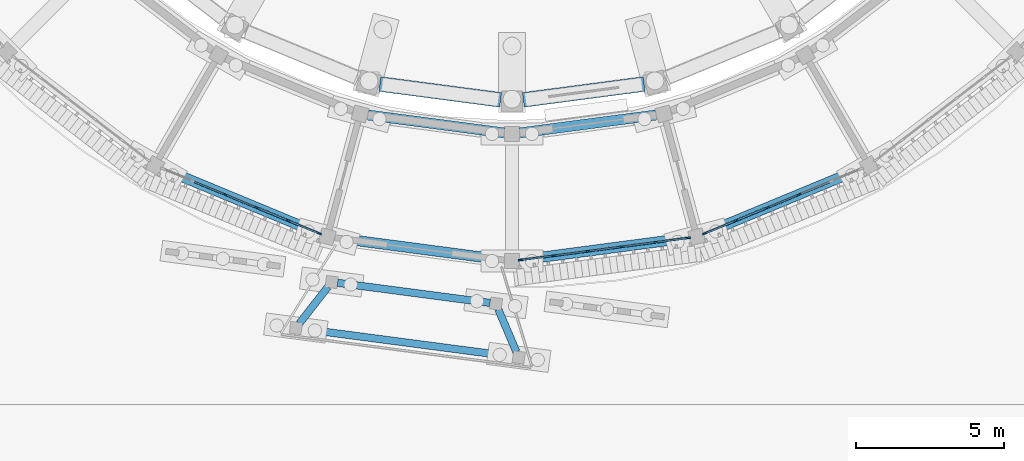
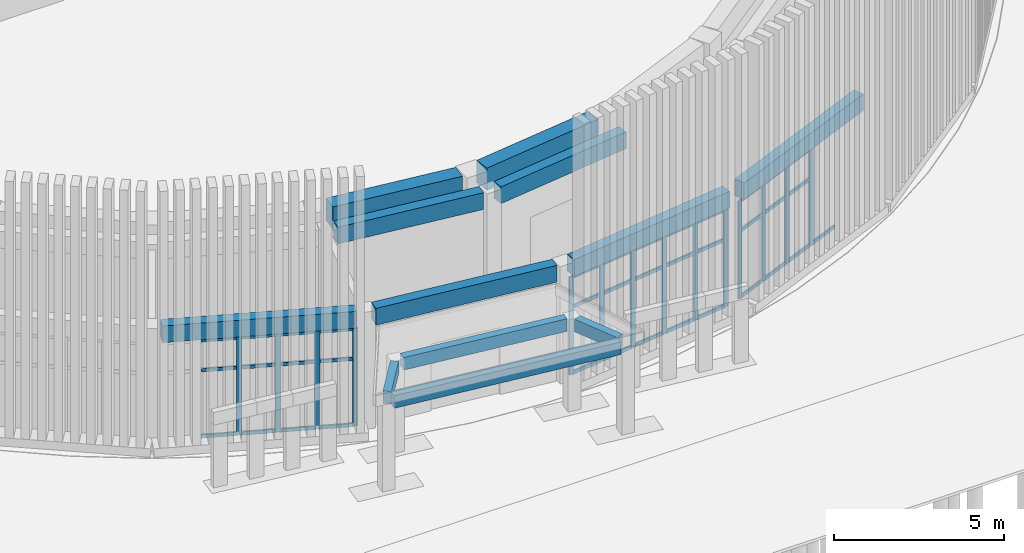
# One storey, part 16 of 112: 51 members, 12 beams, 3 elements without a shape of their own.
"""IFC4 building model written with IfcOpenShell, lengths in metres."""

from ifc_helpers import new_model, si_unit, direction, frame, origin, origin_2d, place, context, subcontext, project, spatial, rectangle, extrude, material, layer, layer_set, material_profile, profile_set, type_object, element, aggregate, save


model = new_model("IFC4")

# Units and contexts
model_context = context("Model", 3, precision=1e-05, world=origin(), true_north=direction((0.0, 1.0)))
body_context = subcontext(model_context, "Body", "Model", "MODEL_VIEW")
ifc_project = project(units=[si_unit("LENGTHUNIT", "METRE"), si_unit("AREAUNIT", "SQUARE_METRE"), si_unit("VOLUMEUNIT", "CUBIC_METRE"), si_unit("PLANEANGLEUNIT", "RADIAN"), si_unit("MASSUNIT", "GRAM", prefix="KILO")], contexts=[model_context])

# Site, building, storey
site_placement = place(None, origin())
site = spatial("IfcSite", under=ifc_project, at=site_placement, CompositionType="ELEMENT")
building_placement = place(site_placement, origin())
building = spatial("IfcBuilding", under=site, at=building_placement, Name="Wasatch Bagh Community Centre", CompositionType="ELEMENT")
storey_placement = place(building_placement, origin())
storey = spatial("IfcBuildingStorey", under=building, at=storey_placement, Name="L00", CompositionType="ELEMENT", Elevation=0.0)

# Curtain wall, members
ifc_material_1 = material(Name="Aluminium curtain wall frame with low-iron insulated glass", Category="aluminium")
ifc_layer = layer(ifc_material_1, 0.14990234375)
ifc_layer_set = layer_set([ifc_layer], Name="Aluminium curtain wall frame with low-iron insulated glass")
curtain_wall_type = type_object("IfcCurtainWallType", Name="Drum curtain wall DR-CW1", PredefinedType="NOTDEFINED", material=ifc_layer_set)
curtain_wall_1_placement = place(storey_placement, origin())
curtain_wall_1 = element("IfcCurtainWall", 1, at=curtain_wall_1_placement, inside=storey, type_object=curtain_wall_type, Name="Curtain wall DR-CW1 5", PredefinedType="NOTDEFINED")
ifc_material_2 = material(Name="Aluminium curtain wall frame", Category="aluminium")
ifc_material_profile_1 = material_profile(ifc_material_2, rectangle(XDim=0.06005859375, YDim=0.159912109375, at=origin_2d()), Name="Drum mullion DR-CW1")
ifc_profile_set_1 = profile_set([ifc_material_profile_1], Name="Aluminium curtain wall frame")
member_type_1 = type_object("IfcMemberType", Name="Drum mullion DR-CW1", PredefinedType="MULLION", material=ifc_profile_set_1)
member_1_placement = place(storey_placement, frame((26.30322265625, 13.100341796875, 0.0), z_axis=(0.0, 0.0, 1.0), x_axis=(0.38268343251, 0.923879532451, 0.0)))
member_1 = element("IfcMember", 2, at=member_1_placement, type_object=member_type_1, Name="DR-CW1 mullion 3", PredefinedType="MULLION", context=body_context, shape_type="SweptSolid", body=[
    extrude(rectangle(XDim=0.06005859375, YDim=0.159912109375, at=origin_2d()), origin(), (0.0, 0.0, 1.0), 3.5),
])
member_2_placement = place(storey_placement, frame((27.37109375, 12.657958984375, 0.0), z_axis=(0.0, 0.0, 1.0), x_axis=(0.38268343251, 0.923879532451, 0.0)))
member_2 = element("IfcMember", 3, at=member_2_placement, type_object=member_type_1, Name="DR-CW1 mullion 4", PredefinedType="MULLION", context=body_context, shape_type="SweptSolid", body=[
    extrude(rectangle(XDim=0.06005859375, YDim=0.159912109375, at=origin_2d()), origin(), (0.0, 0.0, 1.0), 3.5),
])
member_3_placement = place(storey_placement, frame((28.439208984375, 12.215576171875, 0.0), z_axis=(0.0, 0.0, 1.0), x_axis=(0.38268343251, 0.923879532451, 0.0)))
member_3 = element("IfcMember", 4, at=member_3_placement, type_object=member_type_1, Name="DR-CW1 mullion 5", PredefinedType="MULLION", context=body_context, shape_type="SweptSolid", body=[
    extrude(rectangle(XDim=0.06005859375, YDim=0.159912109375, at=origin_2d()), origin(), (0.0, 0.0, 1.0), 3.5),
])
member_4_placement = place(storey_placement, frame((29.479248046875, 11.784912109375, 0.0), z_axis=(0.0, 0.0, 1.0), x_axis=(0.38268343251, 0.923879532451, 0.0)))
member_4 = element("IfcMember", 5, at=member_4_placement, type_object=member_type_1, Name="DR-CW1 mullion 6", PredefinedType="MULLION", context=body_context, shape_type="SweptSolid", body=[
    extrude(rectangle(XDim=0.06005859375, YDim=0.159912109375, at=origin_2d()), origin(), (0.0, 0.0, 1.0), 3.5),
])

curtain_wall_2_placement = place(storey_placement, origin())
curtain_wall_2 = element("IfcCurtainWall", 6, at=curtain_wall_2_placement, inside=storey, type_object=curtain_wall_type, Name="Curtain wall DR-CW1 7", PredefinedType="NOTDEFINED")
member_5_placement = place(storey_placement, frame((36.2900390625, 10.88818359375, 0.0), z_axis=(0.0, 0.0, 1.0), x_axis=(-0.130526192185, 0.991444861378, 0.0)))
member_5 = element("IfcMember", 7, at=member_5_placement, type_object=member_type_1, Name="DR-CW1 mullion 1", PredefinedType="MULLION", context=body_context, shape_type="SweptSolid", body=[
    extrude(rectangle(XDim=0.06005859375, YDim=0.159912109375, at=origin_2d()), origin(), (0.0, 0.0, 1.0), 3.5),
])
member_6_placement = place(storey_placement, frame((37.40625, 11.03515625, 0.0), z_axis=(0.0, 0.0, 1.0), x_axis=(-0.130526192185, 0.991444861378, 0.0)))
member_6 = element("IfcMember", 8, at=member_6_placement, type_object=member_type_1, Name="DR-CW1 mullion 2", PredefinedType="MULLION", context=body_context, shape_type="SweptSolid", body=[
    extrude(rectangle(XDim=0.06005859375, YDim=0.159912109375, at=origin_2d()), origin(), (0.0, 0.0, 1.0), 3.5),
])
member_7_placement = place(storey_placement, frame((38.55224609375, 11.18603515625, 0.0), z_axis=(0.0, 0.0, 1.0), x_axis=(-0.130526192185, 0.991444861378, 0.0)))
member_7 = element("IfcMember", 9, at=member_7_placement, type_object=member_type_1, Name="DR-CW1 mullion 3", PredefinedType="MULLION", context=body_context, shape_type="SweptSolid", body=[
    extrude(rectangle(XDim=0.06005859375, YDim=0.159912109375, at=origin_2d()), origin(), (0.0, 0.0, 1.0), 3.5),
])
member_8_placement = place(storey_placement, frame((39.6982421875, 11.3369140625, 0.0), z_axis=(0.0, 0.0, 1.0), x_axis=(-0.130526192185, 0.991444861378, 0.0)))
member_8 = element("IfcMember", 10, at=member_8_placement, type_object=member_type_1, Name="DR-CW1 mullion 4", PredefinedType="MULLION", context=body_context, shape_type="SweptSolid", body=[
    extrude(rectangle(XDim=0.06005859375, YDim=0.159912109375, at=origin_2d()), origin(), (0.0, 0.0, 1.0), 3.5),
])
member_9_placement = place(storey_placement, frame((40.84423828125, 11.48779296875, 0.0), z_axis=(0.0, 0.0, 1.0), x_axis=(-0.130526192185, 0.991444861378, 0.0)))
member_9 = element("IfcMember", 11, at=member_9_placement, type_object=member_type_1, Name="DR-CW1 mullion 5", PredefinedType="MULLION", context=body_context, shape_type="SweptSolid", body=[
    extrude(rectangle(XDim=0.06005859375, YDim=0.159912109375, at=origin_2d()), origin(), (0.0, 0.0, 1.0), 3.5),
])
member_10_placement = place(storey_placement, frame((41.96044921875, 11.634765625, 0.0), z_axis=(0.0, 0.0, 1.0), x_axis=(-0.130526192185, 0.991444861378, 0.0)))
member_10 = element("IfcMember", 12, at=member_10_placement, type_object=member_type_1, Name="DR-CW1 mullion 6", PredefinedType="MULLION", context=body_context, shape_type="SweptSolid", body=[
    extrude(rectangle(XDim=0.06005859375, YDim=0.159912109375, at=origin_2d()), origin(), (0.0, 0.0, 1.0), 3.5),
])

curtain_wall_3_placement = place(storey_placement, origin())
curtain_wall_3 = element("IfcCurtainWall", 13, at=curtain_wall_3_placement, inside=storey, type_object=curtain_wall_type, Name="Curtain wall DR-CW1 8", PredefinedType="NOTDEFINED")
member_11_placement = place(storey_placement, frame((42.520751953125, 11.784912109375, 0.0), z_axis=(0.0, 0.0, 1.0), x_axis=(-0.38268343251, 0.923879532451, 0.0)))
member_11 = element("IfcMember", 14, at=member_11_placement, type_object=member_type_1, Name="DR-CW1 mullion 1", PredefinedType="MULLION", context=body_context, shape_type="SweptSolid", body=[
    extrude(rectangle(XDim=0.06005859375, YDim=0.159912109375, at=origin_2d()), origin(), (0.0, 0.0, 1.0), 3.5),
])
member_12_placement = place(storey_placement, frame((43.560791015625, 12.215576171875, 0.0), z_axis=(0.0, 0.0, 1.0), x_axis=(-0.38268343251, 0.923879532451, 0.0)))
member_12 = element("IfcMember", 15, at=member_12_placement, type_object=member_type_1, Name="DR-CW1 mullion 2", PredefinedType="MULLION", context=body_context, shape_type="SweptSolid", body=[
    extrude(rectangle(XDim=0.06005859375, YDim=0.159912109375, at=origin_2d()), origin(), (0.0, 0.0, 1.0), 3.5),
])
member_13_placement = place(storey_placement, frame((44.62890625, 12.657958984375, 0.0), z_axis=(0.0, 0.0, 1.0), x_axis=(-0.38268343251, 0.923879532451, 0.0)))
member_13 = element("IfcMember", 16, at=member_13_placement, type_object=member_type_1, Name="DR-CW1 mullion 3", PredefinedType="MULLION", context=body_context, shape_type="SweptSolid", body=[
    extrude(rectangle(XDim=0.06005859375, YDim=0.159912109375, at=origin_2d()), origin(), (0.0, 0.0, 1.0), 3.5),
])
member_14_placement = place(storey_placement, frame((45.69677734375, 13.100341796875, 0.0), z_axis=(0.0, 0.0, 1.0), x_axis=(-0.38268343251, 0.923879532451, 0.0)))
member_14 = element("IfcMember", 17, at=member_14_placement, type_object=member_type_1, Name="DR-CW1 mullion 4", PredefinedType="MULLION", context=body_context, shape_type="SweptSolid", body=[
    extrude(rectangle(XDim=0.06005859375, YDim=0.159912109375, at=origin_2d()), origin(), (0.0, 0.0, 1.0), 3.5),
])

# Beams
ifc_material_3 = material(Name="Concrete C35", Category="concrete")
ifc_material_profile_2 = material_profile(ifc_material_3, rectangle(XDim=0.35009765625, YDim=0.60009765625, at=origin_2d()), Name="RC 350x600")
ifc_profile_set_2 = profile_set([ifc_material_profile_2], Name="Concrete C35")
beam_type_1 = type_object("IfcBeamType", Name="Drum ring beam RC 350x600", PredefinedType="BEAM", material=ifc_profile_set_2)
for number, where, z_axis, x_axis, name in (
    (18, (31.1357421875, 15.790283203125, 3.89990234375), (0.99144891089, -0.130495429401, 0.0), (0.130495429401, 0.99144891089, 0.0), "Ring beam 4.2 DI-S5-DI-S6"),
    (19, (36.2734375, 15.18603515625, 3.89990234375), (0.99144891089, 0.130495429401, 0.0), (-0.130495429401, 0.99144891089, 0.0), "Ring beam 4.2 DI-S6-DI-S7"),
):
    element("IfcBeam", number, at=place(storey_placement, frame(where, z_axis=z_axis, x_axis=x_axis)), inside=storey, type_object=beam_type_1, Name=name, PredefinedType="BEAM", context=body_context, shape_type="SweptSolid", body=[
        extrude(rectangle(XDim=0.35009765625, YDim=0.60009765625, at=origin_2d()), origin(), (0.0, 0.0, 1.0), 4.63037109375),
    ])
beam_1_placement = place(storey_placement, frame((24.1796875, 13.97998046875, 3.89990234375), z_axis=(0.923877183952, -0.38268910224, 0.0), x_axis=(0.38268910224, 0.923877183952, 0.0)))
element("IfcBeam", 20, at=beam_1_placement, inside=storey, type_object=beam_type_1, Name="Ring beam 4.2 DO-S4-DO-S5", PredefinedType="BEAM", context=body_context, shape_type="SweptSolid", body=[
    extrude(rectangle(XDim=0.35009765625, YDim=0.60009765625, at=origin_2d()), origin(), (0.0, 0.0, 1.0), 5.753173828125),
])
for number, where, z_axis, x_axis, name in (
    (21, (30.02294921875, 11.636962890625, 3.89990234375), (0.991443025046, -0.130540139759, 0.0), (0.130540139759, 0.991443025046, 0.0), "Ring beam 4.2 DO-S5-DO-S6"),
    (22, (36.2734375, 10.885986328125, 3.89990234375), (0.991443025046, 0.130540139759, 0.0), (-0.130540139759, 0.991443025046, 0.0), "Ring beam 4.2 DO-S6-DO-S7"),
):
    element("IfcBeam", number, at=place(storey_placement, frame(where, z_axis=z_axis, x_axis=x_axis)), inside=storey, type_object=beam_type_1, Name=name, PredefinedType="BEAM", context=body_context, shape_type="SweptSolid", body=[
        extrude(rectangle(XDim=0.35009765625, YDim=0.60009765625, at=origin_2d()), origin(), (0.0, 0.0, 1.0), 5.7529296875),
    ])
beam_2_placement = place(storey_placement, frame((42.505126953125, 11.7783203125, 3.89990234375), z_axis=(0.923877183952, 0.38268910224, 0.0), x_axis=(-0.38268910224, 0.923877183952, 0.0)))
element("IfcBeam", 23, at=beam_2_placement, inside=storey, type_object=beam_type_1, Name="Ring beam 4.2 DO-S7-DO-S8", PredefinedType="BEAM", context=body_context, shape_type="SweptSolid", body=[
    extrude(rectangle(XDim=0.35009765625, YDim=0.60009765625, at=origin_2d()), origin(), (0.0, 0.0, 1.0), 5.753173828125),
])

# Member
ifc_material_profile_3 = material_profile(ifc_material_2, rectangle(XDim=0.06005859375, YDim=0.1201171875, at=origin_2d()), Name="Drum transom DR-CW1")
ifc_profile_set_3 = profile_set([ifc_material_profile_3], Name="Aluminium curtain wall frame")
member_type_2 = type_object("IfcMemberType", Name="Drum transom DR-CW1", PredefinedType="USERDEFINED", material=ifc_profile_set_3)
member_15_placement = place(storey_placement, frame((25.26318359375, 13.53125, 0.030029296875), z_axis=(0.923859339579, -0.382732178779, 0.0), x_axis=(0.382732178779, 0.923859339579, 0.0)))
member_15 = element("IfcMember", 24, at=member_15_placement, type_object=member_type_2, Name="DR-CW1 transom 2.1", ObjectType="TRANSOM", PredefinedType="USERDEFINED", context=body_context, shape_type="SweptSolid", body=[
    extrude(rectangle(XDim=0.06005859375, YDim=0.1201171875, at=origin_2d()), origin(), (0.0, 0.0, 1.0), 1.095947265625),
])

member_16_placement = place(storey_placement, frame((25.26318359375, 13.53125, 2.39990234375), z_axis=(0.923859339579, -0.382732178779, 0.0), x_axis=(0.382732178779, 0.923859339579, 0.0)))
member_16 = element("IfcMember", 25, at=member_16_placement, type_object=member_type_2, Name="DR-CW1 transom 2.2", ObjectType="TRANSOM", PredefinedType="USERDEFINED", context=body_context, shape_type="SweptSolid", body=[
    extrude(rectangle(XDim=0.06005859375, YDim=0.1201171875, at=origin_2d()), origin(), (0.0, 0.0, 1.0), 1.095947265625),
])

member_17_placement = place(storey_placement, frame((25.26318359375, 13.53125, 3.469970703125), z_axis=(0.923859339579, -0.382732178779, 0.0), x_axis=(0.382732178779, 0.923859339579, 0.0)))
member_17 = element("IfcMember", 26, at=member_17_placement, type_object=member_type_2, Name="DR-CW1 transom 2.3", ObjectType="TRANSOM", PredefinedType="USERDEFINED", context=body_context, shape_type="SweptSolid", body=[
    extrude(rectangle(XDim=0.06005859375, YDim=0.1201171875, at=origin_2d()), origin(), (0.0, 0.0, 1.0), 1.095947265625),
])

member_18_placement = place(storey_placement, frame((26.3310546875, 13.0888671875, 0.030029296875), z_axis=(0.923859339579, -0.382732178779, 0.0), x_axis=(0.382732178779, 0.923859339579, 0.0)))
member_18 = element("IfcMember", 27, at=member_18_placement, type_object=member_type_2, Name="DR-CW1 transom 3.1", ObjectType="TRANSOM", PredefinedType="USERDEFINED", context=body_context, shape_type="SweptSolid", body=[
    extrude(rectangle(XDim=0.06005859375, YDim=0.1201171875, at=origin_2d()), origin(), (0.0, 0.0, 1.0), 1.095947265625),
])

member_19_placement = place(storey_placement, frame((26.3310546875, 13.0888671875, 2.39990234375), z_axis=(0.923859339579, -0.382732178779, 0.0), x_axis=(0.382732178779, 0.923859339579, 0.0)))
member_19 = element("IfcMember", 28, at=member_19_placement, type_object=member_type_2, Name="DR-CW1 transom 3.2", ObjectType="TRANSOM", PredefinedType="USERDEFINED", context=body_context, shape_type="SweptSolid", body=[
    extrude(rectangle(XDim=0.06005859375, YDim=0.1201171875, at=origin_2d()), origin(), (0.0, 0.0, 1.0), 1.095947265625),
])

member_20_placement = place(storey_placement, frame((26.3310546875, 13.0888671875, 3.469970703125), z_axis=(0.923859339579, -0.382732178779, 0.0), x_axis=(0.382732178779, 0.923859339579, 0.0)))
member_20 = element("IfcMember", 29, at=member_20_placement, type_object=member_type_2, Name="DR-CW1 transom 3.3", ObjectType="TRANSOM", PredefinedType="USERDEFINED", context=body_context, shape_type="SweptSolid", body=[
    extrude(rectangle(XDim=0.06005859375, YDim=0.1201171875, at=origin_2d()), origin(), (0.0, 0.0, 1.0), 1.095947265625),
])

member_21_placement = place(storey_placement, frame((27.39892578125, 12.646484375, 0.030029296875), z_axis=(0.923859339579, -0.382732178779, 0.0), x_axis=(0.382732178779, 0.923859339579, 0.0)))
member_21 = element("IfcMember", 30, at=member_21_placement, type_object=member_type_2, Name="DR-CW1 transom 4.1", ObjectType="TRANSOM", PredefinedType="USERDEFINED", context=body_context, shape_type="SweptSolid", body=[
    extrude(rectangle(XDim=0.06005859375, YDim=0.1201171875, at=origin_2d()), origin(), (0.0, 0.0, 1.0), 1.095947265625),
])

member_22_placement = place(storey_placement, frame((27.39892578125, 12.646484375, 2.39990234375), z_axis=(0.923859339579, -0.382732178779, 0.0), x_axis=(0.382732178779, 0.923859339579, 0.0)))
member_22 = element("IfcMember", 31, at=member_22_placement, type_object=member_type_2, Name="DR-CW1 transom 4.2", ObjectType="TRANSOM", PredefinedType="USERDEFINED", context=body_context, shape_type="SweptSolid", body=[
    extrude(rectangle(XDim=0.06005859375, YDim=0.1201171875, at=origin_2d()), origin(), (0.0, 0.0, 1.0), 1.095947265625),
])

member_23_placement = place(storey_placement, frame((27.39892578125, 12.646484375, 3.469970703125), z_axis=(0.923859339579, -0.382732178779, 0.0), x_axis=(0.382732178779, 0.923859339579, 0.0)))
member_23 = element("IfcMember", 32, at=member_23_placement, type_object=member_type_2, Name="DR-CW1 transom 4.3", ObjectType="TRANSOM", PredefinedType="USERDEFINED", context=body_context, shape_type="SweptSolid", body=[
    extrude(rectangle(XDim=0.06005859375, YDim=0.1201171875, at=origin_2d()), origin(), (0.0, 0.0, 1.0), 1.095947265625),
])

member_24_placement = place(storey_placement, frame((28.466796875, 12.2041015625, 0.030029296875), z_axis=(0.923955432606, -0.382500141907, 0.0), x_axis=(0.382500141907, 0.923955432606, 0.0)))
member_24 = element("IfcMember", 33, at=member_24_placement, type_object=member_type_2, Name="DR-CW1 transom 5.1", ObjectType="TRANSOM", PredefinedType="USERDEFINED", context=body_context, shape_type="SweptSolid", body=[
    extrude(rectangle(XDim=0.06005859375, YDim=0.1201171875, at=origin_2d()), origin(), (0.0, 0.0, 1.0), 1.06591796875),
])

member_25_placement = place(storey_placement, frame((28.466796875, 12.2041015625, 2.39990234375), z_axis=(0.923955432606, -0.382500141907, 0.0), x_axis=(0.382500141907, 0.923955432606, 0.0)))
member_25 = element("IfcMember", 34, at=member_25_placement, type_object=member_type_2, Name="DR-CW1 transom 5.2", ObjectType="TRANSOM", PredefinedType="USERDEFINED", context=body_context, shape_type="SweptSolid", body=[
    extrude(rectangle(XDim=0.06005859375, YDim=0.1201171875, at=origin_2d()), origin(), (0.0, 0.0, 1.0), 1.06591796875),
])

member_26_placement = place(storey_placement, frame((28.466796875, 12.2041015625, 3.469970703125), z_axis=(0.923955432606, -0.382500141907, 0.0), x_axis=(0.382500141907, 0.923955432606, 0.0)))
member_26 = element("IfcMember", 35, at=member_26_placement, type_object=member_type_2, Name="DR-CW1 transom 5.3", ObjectType="TRANSOM", PredefinedType="USERDEFINED", context=body_context, shape_type="SweptSolid", body=[
    extrude(rectangle(XDim=0.06005859375, YDim=0.1201171875, at=origin_2d()), origin(), (0.0, 0.0, 1.0), 1.06591796875),
])

aggregate(curtain_wall_1, [member_1, member_2, member_3, member_4, member_15, member_16, member_17, member_18, member_19, member_20, member_21, member_22, member_23, member_24, member_25, member_26])

member_27_placement = place(storey_placement, frame((36.31982421875, 10.89208984375, 0.030029296875), z_axis=(0.991438694485, 0.130573025845, 0.0), x_axis=(-0.130573025845, 0.991438694485, 0.0)))
member_27 = element("IfcMember", 36, at=member_27_placement, type_object=member_type_2, Name="DR-CW1 transom 1.1", ObjectType="TRANSOM", PredefinedType="USERDEFINED", context=body_context, shape_type="SweptSolid", body=[
    extrude(rectangle(XDim=0.06005859375, YDim=0.1201171875, at=origin_2d()), origin(), (0.0, 0.0, 1.0), 1.065673828125),
])

member_28_placement = place(storey_placement, frame((36.31982421875, 10.89208984375, 2.39990234375), z_axis=(0.991438694485, 0.130573025845, 0.0), x_axis=(-0.130573025845, 0.991438694485, 0.0)))
member_28 = element("IfcMember", 37, at=member_28_placement, type_object=member_type_2, Name="DR-CW1 transom 1.2", ObjectType="TRANSOM", PredefinedType="USERDEFINED", context=body_context, shape_type="SweptSolid", body=[
    extrude(rectangle(XDim=0.06005859375, YDim=0.1201171875, at=origin_2d()), origin(), (0.0, 0.0, 1.0), 1.065673828125),
])

member_29_placement = place(storey_placement, frame((36.31982421875, 10.89208984375, 3.469970703125), z_axis=(0.991438694485, 0.130573025845, 0.0), x_axis=(-0.130573025845, 0.991438694485, 0.0)))
member_29 = element("IfcMember", 38, at=member_29_placement, type_object=member_type_2, Name="DR-CW1 transom 1.3", ObjectType="TRANSOM", PredefinedType="USERDEFINED", context=body_context, shape_type="SweptSolid", body=[
    extrude(rectangle(XDim=0.06005859375, YDim=0.1201171875, at=origin_2d()), origin(), (0.0, 0.0, 1.0), 1.065673828125),
])

member_30_placement = place(storey_placement, frame((37.43603515625, 11.0390625, 0.030029296875), z_axis=(0.99144064028, 0.130558250608, 0.0), x_axis=(-0.130558250608, 0.99144064028, 0.0)))
member_30 = element("IfcMember", 39, at=member_30_placement, type_object=member_type_2, Name="DR-CW1 transom 2.1", ObjectType="TRANSOM", PredefinedType="USERDEFINED", context=body_context, shape_type="SweptSolid", body=[
    extrude(rectangle(XDim=0.06005859375, YDim=0.1201171875, at=origin_2d()), origin(), (0.0, 0.0, 1.0), 1.095703125),
])

member_31_placement = place(storey_placement, frame((37.43603515625, 11.0390625, 2.39990234375), z_axis=(0.99144064028, 0.130558250608, 0.0), x_axis=(-0.130558250608, 0.99144064028, 0.0)))
member_31 = element("IfcMember", 40, at=member_31_placement, type_object=member_type_2, Name="DR-CW1 transom 2.2", ObjectType="TRANSOM", PredefinedType="USERDEFINED", context=body_context, shape_type="SweptSolid", body=[
    extrude(rectangle(XDim=0.06005859375, YDim=0.1201171875, at=origin_2d()), origin(), (0.0, 0.0, 1.0), 1.095703125),
])

member_32_placement = place(storey_placement, frame((37.43603515625, 11.0390625, 3.469970703125), z_axis=(0.99144064028, 0.130558250608, 0.0), x_axis=(-0.130558250608, 0.99144064028, 0.0)))
member_32 = element("IfcMember", 41, at=member_32_placement, type_object=member_type_2, Name="DR-CW1 transom 2.3", ObjectType="TRANSOM", PredefinedType="USERDEFINED", context=body_context, shape_type="SweptSolid", body=[
    extrude(rectangle(XDim=0.06005859375, YDim=0.1201171875, at=origin_2d()), origin(), (0.0, 0.0, 1.0), 1.095703125),
])

member_33_placement = place(storey_placement, frame((38.58203125, 11.18994140625, 0.030029296875), z_axis=(0.99144064028, 0.130558250608, 0.0), x_axis=(-0.130558250608, 0.99144064028, 0.0)))
member_33 = element("IfcMember", 42, at=member_33_placement, type_object=member_type_2, Name="DR-CW1 transom 3.1", ObjectType="TRANSOM", PredefinedType="USERDEFINED", context=body_context, shape_type="SweptSolid", body=[
    extrude(rectangle(XDim=0.06005859375, YDim=0.1201171875, at=origin_2d()), origin(), (0.0, 0.0, 1.0), 1.095703125),
])

member_34_placement = place(storey_placement, frame((38.58203125, 11.18994140625, 2.39990234375), z_axis=(0.99144064028, 0.130558250608, 0.0), x_axis=(-0.130558250608, 0.99144064028, 0.0)))
member_34 = element("IfcMember", 43, at=member_34_placement, type_object=member_type_2, Name="DR-CW1 transom 3.2", ObjectType="TRANSOM", PredefinedType="USERDEFINED", context=body_context, shape_type="SweptSolid", body=[
    extrude(rectangle(XDim=0.06005859375, YDim=0.1201171875, at=origin_2d()), origin(), (0.0, 0.0, 1.0), 1.095703125),
])

member_35_placement = place(storey_placement, frame((38.58203125, 11.18994140625, 3.469970703125), z_axis=(0.99144064028, 0.130558250608, 0.0), x_axis=(-0.130558250608, 0.99144064028, 0.0)))
member_35 = element("IfcMember", 44, at=member_35_placement, type_object=member_type_2, Name="DR-CW1 transom 3.3", ObjectType="TRANSOM", PredefinedType="USERDEFINED", context=body_context, shape_type="SweptSolid", body=[
    extrude(rectangle(XDim=0.06005859375, YDim=0.1201171875, at=origin_2d()), origin(), (0.0, 0.0, 1.0), 1.095703125),
])

member_36_placement = place(storey_placement, frame((39.72802734375, 11.3408203125, 0.030029296875), z_axis=(0.99144064028, 0.130558250608, 0.0), x_axis=(-0.130558250608, 0.99144064028, 0.0)))
member_36 = element("IfcMember", 45, at=member_36_placement, type_object=member_type_2, Name="DR-CW1 transom 4.1", ObjectType="TRANSOM", PredefinedType="USERDEFINED", context=body_context, shape_type="SweptSolid", body=[
    extrude(rectangle(XDim=0.06005859375, YDim=0.1201171875, at=origin_2d()), origin(), (0.0, 0.0, 1.0), 1.095703125),
])

member_37_placement = place(storey_placement, frame((39.72802734375, 11.3408203125, 2.39990234375), z_axis=(0.99144064028, 0.130558250608, 0.0), x_axis=(-0.130558250608, 0.99144064028, 0.0)))
member_37 = element("IfcMember", 46, at=member_37_placement, type_object=member_type_2, Name="DR-CW1 transom 4.2", ObjectType="TRANSOM", PredefinedType="USERDEFINED", context=body_context, shape_type="SweptSolid", body=[
    extrude(rectangle(XDim=0.06005859375, YDim=0.1201171875, at=origin_2d()), origin(), (0.0, 0.0, 1.0), 1.095703125),
])

member_38_placement = place(storey_placement, frame((39.72802734375, 11.3408203125, 3.469970703125), z_axis=(0.99144064028, 0.130558250608, 0.0), x_axis=(-0.130558250608, 0.99144064028, 0.0)))
member_38 = element("IfcMember", 47, at=member_38_placement, type_object=member_type_2, Name="DR-CW1 transom 4.3", ObjectType="TRANSOM", PredefinedType="USERDEFINED", context=body_context, shape_type="SweptSolid", body=[
    extrude(rectangle(XDim=0.06005859375, YDim=0.1201171875, at=origin_2d()), origin(), (0.0, 0.0, 1.0), 1.095703125),
])

member_39_placement = place(storey_placement, frame((40.8740234375, 11.49169921875, 0.030029296875), z_axis=(0.991438694485, 0.130573025845, 0.0), x_axis=(-0.130573025845, 0.991438694485, 0.0)))
member_39 = element("IfcMember", 48, at=member_39_placement, type_object=member_type_2, Name="DR-CW1 transom 5.1", ObjectType="TRANSOM", PredefinedType="USERDEFINED", context=body_context, shape_type="SweptSolid", body=[
    extrude(rectangle(XDim=0.06005859375, YDim=0.1201171875, at=origin_2d()), origin(), (0.0, 0.0, 1.0), 1.065673828125),
])

member_40_placement = place(storey_placement, frame((40.8740234375, 11.49169921875, 2.39990234375), z_axis=(0.991438694485, 0.130573025845, 0.0), x_axis=(-0.130573025845, 0.991438694485, 0.0)))
member_40 = element("IfcMember", 49, at=member_40_placement, type_object=member_type_2, Name="DR-CW1 transom 5.2", ObjectType="TRANSOM", PredefinedType="USERDEFINED", context=body_context, shape_type="SweptSolid", body=[
    extrude(rectangle(XDim=0.06005859375, YDim=0.1201171875, at=origin_2d()), origin(), (0.0, 0.0, 1.0), 1.065673828125),
])

member_41_placement = place(storey_placement, frame((40.8740234375, 11.49169921875, 3.469970703125), z_axis=(0.991438694485, 0.130573025845, 0.0), x_axis=(-0.130573025845, 0.991438694485, 0.0)))
member_41 = element("IfcMember", 50, at=member_41_placement, type_object=member_type_2, Name="DR-CW1 transom 5.3", ObjectType="TRANSOM", PredefinedType="USERDEFINED", context=body_context, shape_type="SweptSolid", body=[
    extrude(rectangle(XDim=0.06005859375, YDim=0.1201171875, at=origin_2d()), origin(), (0.0, 0.0, 1.0), 1.065673828125),
])

aggregate(curtain_wall_2, [member_5, member_6, member_7, member_8, member_9, member_10, member_27, member_28, member_29, member_30, member_31, member_32, member_33, member_34, member_35, member_36, member_37, member_38, member_39, member_40, member_41])

member_42_placement = place(storey_placement, frame((42.54833984375, 11.79638671875, 0.030029296875), z_axis=(0.923955432606, 0.382500141907, 0.0), x_axis=(-0.382500141907, 0.923955432606, 0.0)))
member_42 = element("IfcMember", 51, at=member_42_placement, type_object=member_type_2, Name="DR-CW1 transom 1.1", ObjectType="TRANSOM", PredefinedType="USERDEFINED", context=body_context, shape_type="SweptSolid", body=[
    extrude(rectangle(XDim=0.06005859375, YDim=0.1201171875, at=origin_2d()), origin(), (0.0, 0.0, 1.0), 1.06591796875),
])

member_43_placement = place(storey_placement, frame((42.54833984375, 11.79638671875, 2.39990234375), z_axis=(0.923955432606, 0.382500141907, 0.0), x_axis=(-0.382500141907, 0.923955432606, 0.0)))
member_43 = element("IfcMember", 52, at=member_43_placement, type_object=member_type_2, Name="DR-CW1 transom 1.2", ObjectType="TRANSOM", PredefinedType="USERDEFINED", context=body_context, shape_type="SweptSolid", body=[
    extrude(rectangle(XDim=0.06005859375, YDim=0.1201171875, at=origin_2d()), origin(), (0.0, 0.0, 1.0), 1.06591796875),
])

member_44_placement = place(storey_placement, frame((42.54833984375, 11.79638671875, 3.469970703125), z_axis=(0.923955432606, 0.382500141907, 0.0), x_axis=(-0.382500141907, 0.923955432606, 0.0)))
member_44 = element("IfcMember", 53, at=member_44_placement, type_object=member_type_2, Name="DR-CW1 transom 1.3", ObjectType="TRANSOM", PredefinedType="USERDEFINED", context=body_context, shape_type="SweptSolid", body=[
    extrude(rectangle(XDim=0.06005859375, YDim=0.1201171875, at=origin_2d()), origin(), (0.0, 0.0, 1.0), 1.06591796875),
])

member_45_placement = place(storey_placement, frame((43.588623046875, 12.22705078125, 0.030029296875), z_axis=(0.923859339579, 0.382732178779, 0.0), x_axis=(-0.382732178779, 0.923859339579, 0.0)))
member_45 = element("IfcMember", 54, at=member_45_placement, type_object=member_type_2, Name="DR-CW1 transom 2.1", ObjectType="TRANSOM", PredefinedType="USERDEFINED", context=body_context, shape_type="SweptSolid", body=[
    extrude(rectangle(XDim=0.06005859375, YDim=0.1201171875, at=origin_2d()), origin(), (0.0, 0.0, 1.0), 1.095947265625),
])

member_46_placement = place(storey_placement, frame((43.588623046875, 12.22705078125, 2.39990234375), z_axis=(0.923859339579, 0.382732178779, 0.0), x_axis=(-0.382732178779, 0.923859339579, 0.0)))
member_46 = element("IfcMember", 55, at=member_46_placement, type_object=member_type_2, Name="DR-CW1 transom 2.2", ObjectType="TRANSOM", PredefinedType="USERDEFINED", context=body_context, shape_type="SweptSolid", body=[
    extrude(rectangle(XDim=0.06005859375, YDim=0.1201171875, at=origin_2d()), origin(), (0.0, 0.0, 1.0), 1.095947265625),
])

member_47_placement = place(storey_placement, frame((43.588623046875, 12.22705078125, 3.469970703125), z_axis=(0.923859339579, 0.382732178779, 0.0), x_axis=(-0.382732178779, 0.923859339579, 0.0)))
member_47 = element("IfcMember", 56, at=member_47_placement, type_object=member_type_2, Name="DR-CW1 transom 2.3", ObjectType="TRANSOM", PredefinedType="USERDEFINED", context=body_context, shape_type="SweptSolid", body=[
    extrude(rectangle(XDim=0.06005859375, YDim=0.1201171875, at=origin_2d()), origin(), (0.0, 0.0, 1.0), 1.095947265625),
])

member_48_placement = place(storey_placement, frame((44.656494140625, 12.66943359375, 0.030029296875), z_axis=(0.923859339579, 0.382732178779, 0.0), x_axis=(-0.382732178779, 0.923859339579, 0.0)))
member_48 = element("IfcMember", 57, at=member_48_placement, type_object=member_type_2, Name="DR-CW1 transom 3.1", ObjectType="TRANSOM", PredefinedType="USERDEFINED", context=body_context, shape_type="SweptSolid", body=[
    extrude(rectangle(XDim=0.06005859375, YDim=0.1201171875, at=origin_2d()), origin(), (0.0, 0.0, 1.0), 1.095947265625),
])

member_49_placement = place(storey_placement, frame((44.656494140625, 12.66943359375, 2.39990234375), z_axis=(0.923859339579, 0.382732178779, 0.0), x_axis=(-0.382732178779, 0.923859339579, 0.0)))
member_49 = element("IfcMember", 58, at=member_49_placement, type_object=member_type_2, Name="DR-CW1 transom 3.2", ObjectType="TRANSOM", PredefinedType="USERDEFINED", context=body_context, shape_type="SweptSolid", body=[
    extrude(rectangle(XDim=0.06005859375, YDim=0.1201171875, at=origin_2d()), origin(), (0.0, 0.0, 1.0), 1.095947265625),
])

member_50_placement = place(storey_placement, frame((44.656494140625, 12.66943359375, 3.469970703125), z_axis=(0.923859339579, 0.382732178779, 0.0), x_axis=(-0.382732178779, 0.923859339579, 0.0)))
member_50 = element("IfcMember", 59, at=member_50_placement, type_object=member_type_2, Name="DR-CW1 transom 3.3", ObjectType="TRANSOM", PredefinedType="USERDEFINED", context=body_context, shape_type="SweptSolid", body=[
    extrude(rectangle(XDim=0.06005859375, YDim=0.1201171875, at=origin_2d()), origin(), (0.0, 0.0, 1.0), 1.095947265625),
])

member_51_placement = place(storey_placement, frame((45.724365234375, 13.11181640625, 0.030029296875), z_axis=(0.923859339579, 0.382732178779, 0.0), x_axis=(-0.382732178779, 0.923859339579, 0.0)))
member_51 = element("IfcMember", 60, at=member_51_placement, type_object=member_type_2, Name="DR-CW1 transom 4.1", ObjectType="TRANSOM", PredefinedType="USERDEFINED", context=body_context, shape_type="SweptSolid", body=[
    extrude(rectangle(XDim=0.06005859375, YDim=0.1201171875, at=origin_2d()), origin(), (0.0, 0.0, 1.0), 1.095947265625),
])

aggregate(curtain_wall_3, [member_11, member_12, member_13, member_14, member_42, member_43, member_44, member_45, member_46, member_47, member_48, member_49, member_50, member_51])

# Beams
ifc_material_profile_4 = material_profile(ifc_material_3, rectangle(XDim=0.25, YDim=0.449951171875, at=origin_2d()), Name="RC 250x450")
ifc_profile_set_4 = profile_set([ifc_material_profile_4], Name="Concrete C35")
beam_type_2 = type_object("IfcBeamType", Name="FD canopy beam RC 250x450", PredefinedType="BEAM", material=ifc_profile_set_4)
beam_3_placement = place(storey_placement, frame((30.09912109375, 10.114013671875, 3.074951171875), z_axis=(0.991441677274, -0.130550375579, 0.0), x_axis=(0.130550375579, 0.991441677274, 0.0)))
element("IfcBeam", 61, at=beam_3_placement, inside=storey, type_object=beam_type_2, Name="Canopy beam rear", PredefinedType="BEAM", context=body_context, shape_type="SweptSolid", body=[
    extrude(rectangle(XDim=0.25, YDim=0.449951171875, at=origin_2d()), origin(), (0.0, 0.0, 1.0), 5.204345703125),
])
beam_4_placement = place(storey_placement, frame((28.8857421875, 8.55908203125, 3.074951171875), z_axis=(0.991443796235, -0.1305342825, 0.0), x_axis=(0.1305342825, 0.991443796235, 0.0)))
element("IfcBeam", 62, at=beam_4_placement, inside=storey, type_object=beam_type_2, Name="Canopy beam front", PredefinedType="BEAM", context=body_context, shape_type="SweptSolid", body=[
    extrude(rectangle(XDim=0.25, YDim=0.449951171875, at=origin_2d()), origin(), (0.0, 0.0, 1.0), 7.204345703125),
])
beam_5_placement = place(storey_placement, frame((29.777587890625, 9.982421875, 3.074951171875), z_axis=(-0.615047245057, -0.788490257611, 0.0), x_axis=(0.788490257611, -0.615047245057, 0.0)))
element("IfcBeam", 63, at=beam_5_placement, inside=storey, type_object=beam_type_2, Name="Canopy beam west", PredefinedType="BEAM", context=body_context, shape_type="SweptSolid", body=[
    extrude(rectangle(XDim=0.25, YDim=0.449951171875, at=origin_2d()), origin(), (0.0, 0.0, 1.0), 1.572265625),
])
beam_6_placement = place(storey_placement, frame((35.53515625, 9.224365234375, 3.074951171875), z_axis=(0.390186962055, -0.920735648621, 0.0), x_axis=(0.920735648621, 0.390186962055, 0.0)))
element("IfcBeam", 64, at=beam_6_placement, inside=storey, type_object=beam_type_2, Name="Canopy beam east", PredefinedType="BEAM", context=body_context, shape_type="SweptSolid", body=[
    extrude(rectangle(XDim=0.25, YDim=0.449951171875, at=origin_2d()), origin(), (0.0, 0.0, 1.0), 1.572509765625),
])
ifc_material_profile_5 = material_profile(ifc_material_3, rectangle(XDim=0.5, YDim=0.800048828125, at=origin_2d()), Name="RC 500x800")
ifc_profile_set_5 = profile_set([ifc_material_profile_5], Name="Concrete C35")
beam_type_3 = type_object("IfcBeamType", Name="MH ring beam RC 500x800", PredefinedType="BEAM", material=ifc_profile_set_5)
for number, where, z_axis, x_axis, name in (
    (65, (31.5302734375, 16.83837890625, 3.800048828125), (0.991450464722, -0.130483623501, 0.0), (0.130483623501, 0.991450464722, 0.0), "Ring beam 4.2 S5-S6"),
    (66, (36.383056640625, 16.300537109375, 3.800048828125), (0.991450464722, 0.130483623501, 0.0), (-0.130483623501, 0.991450464722, 0.0), "Ring beam 4.2 S6-S7"),
):
    element("IfcBeam", number, at=place(storey_placement, frame(where, z_axis=z_axis, x_axis=x_axis)), inside=storey, type_object=beam_type_3, Name=name, PredefinedType="BEAM", context=body_context, shape_type="SweptSolid", body=[
        extrude(rectangle(XDim=0.5, YDim=0.800048828125, at=origin_2d()), origin(), (0.0, 0.0, 1.0), 4.121826171875),
    ])

save(model, "model.ifc")
